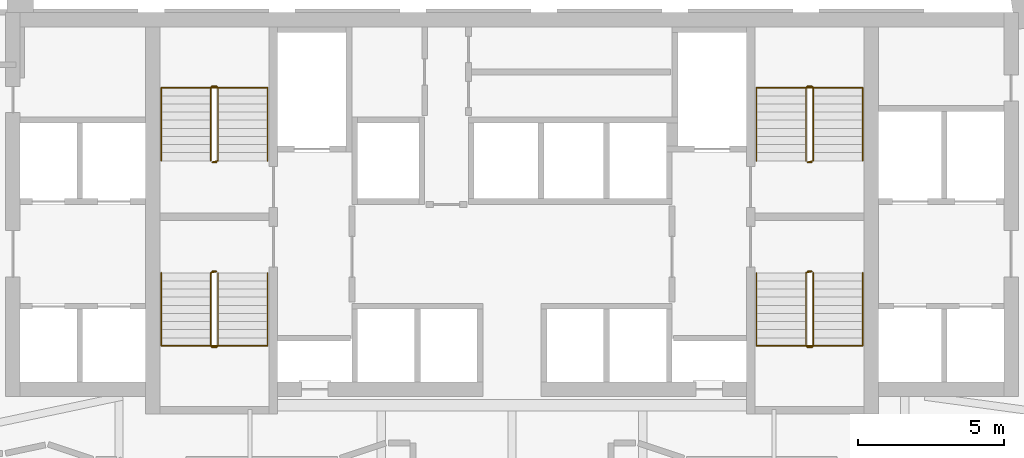
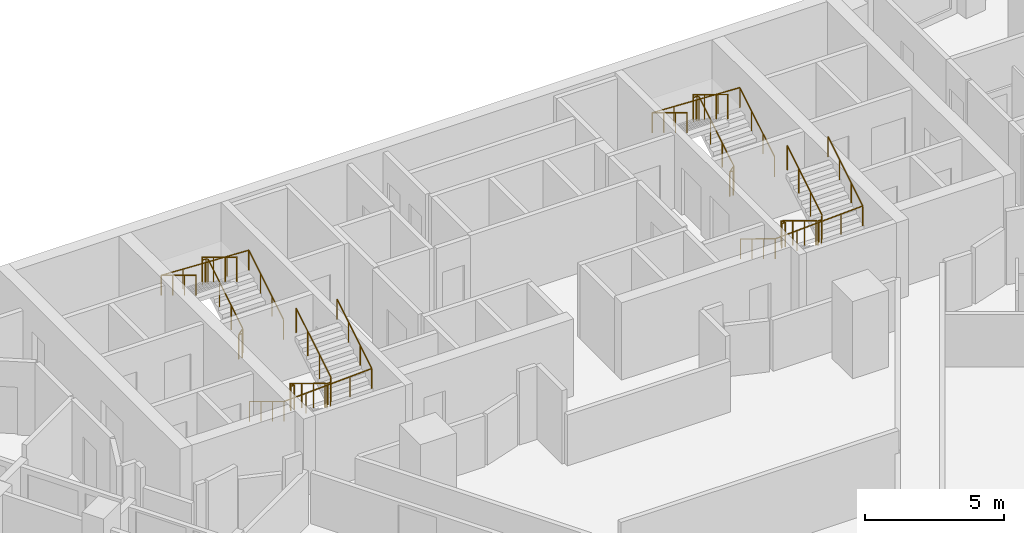
# One storey, part 11 of 11: 8 railings.
"""IFC4 building model written with IfcOpenShell, lengths in metres."""

import ifcopenshell
import ifcopenshell.guid

model = None  # the IFC model being written
_history = None  # IfcOwnerHistory: only IFC2X3 demands one
_inside = {}  # id of a spatial element -> (the spatial element, [elements in it])
_under = {}  # id of a project, library or spatial element -> (it, [spatial elements below it])
_declared = {}  # id of a project -> (the project, [libraries it declares])
_typed = {}  # id of a type object -> (the type object, [elements of that type])
_made_of = {}  # id of a material, layer set ... -> (it, [elements and type objects made of it])


def new_model(schema):
    """Start an empty IFC model of exactly this schema.

    Asked for "IFC4X3", IfcOpenShell would pick the latest addendum, in which some entities
    have other attributes; the version numbers below select the first issue.
    IFC2X3 requires an IfcOwnerHistory on every rooted entity: one is made here for all.
    """
    global model, _history
    if schema == "IFC4X3":
        model = ifcopenshell.file(schema_version=(4, 3, 0, 0))
    else:
        model = ifcopenshell.file(schema=schema)
    _inside.clear()
    _under.clear()
    _declared.clear()
    _typed.clear()
    _made_of.clear()
    _history = None
    if model.schema == "IFC2X3":
        org = make("IfcOrganization", Name="unknown")
        user = make(
            "IfcPersonAndOrganization",
            ThePerson=make("IfcPerson", FamilyName="unknown"),
            TheOrganization=org,
        )
        app = make(
            "IfcApplication",
            ApplicationDeveloper=org,
            Version="unknown",
            ApplicationFullName="unknown",
            ApplicationIdentifier="unknown",
        )
        _history = make(
            "IfcOwnerHistory",
            OwningUser=user,
            OwningApplication=app,
            ChangeAction="ADDED",
            CreationDate=0,
        )
    return model


def make(cls, **values):
    """One entity of the class cls with the attributes given. An attribute that is None is left unset."""
    return model.create_entity(
        cls, **{name: value for name, value in values.items() if value is not None}
    )


def rooted(cls, **values):
    """An entity with a GlobalId (a new one), such as an element, a storey or a relation."""
    return make(cls, GlobalId=ifcopenshell.guid.new(), OwnerHistory=_history, **values)


def si_unit(unit_type, name, prefix=None):
    """IfcSIUnit, for example si_unit("LENGTHUNIT", "METRE", prefix="MILLI")."""
    return make("IfcSIUnit", UnitType=unit_type, Prefix=prefix, Name=name)


def assignment(units):
    """IfcUnitAssignment: the units of a project."""
    return None if units is None else make("IfcUnitAssignment", Units=units)


def point(xyz):
    """IfcCartesianPoint."""
    return None if xyz is None else make("IfcCartesianPoint", Coordinates=xyz)


def direction(xyz):
    """IfcDirection."""
    return None if xyz is None else make("IfcDirection", DirectionRatios=xyz)


def frame(location, z_axis=None, x_axis=None):
    """IfcAxis2Placement3D, a coordinate frame: its origin and axes. An axis left out is left unset."""
    return make(
        "IfcAxis2Placement3D",
        Location=point(location),
        Axis=direction(z_axis),
        RefDirection=direction(x_axis),
    )


def frame_2d(location, x_axis=None):
    """IfcAxis2Placement2D, a coordinate frame in the plane: its origin and x axis."""
    return make(
        "IfcAxis2Placement2D", Location=point(location), RefDirection=direction(x_axis)
    )


def origin():
    """The frame at (0, 0, 0) with its axes left unset."""
    return frame((0.0, 0.0, 0.0))


def origin_2d():
    """The frame at (0, 0) in the plane with its x axis left unset."""
    return frame_2d((0.0, 0.0))


def place(relative_to, where):
    """IfcLocalPlacement: puts the frame where relative to a parent placement (None: the world)."""
    return make(
        "IfcLocalPlacement", PlacementRelTo=relative_to, RelativePlacement=where
    )


def context(
    kind, dimensions, precision=None, world=None, true_north=None, identifier=None
):
    """IfcGeometricRepresentationContext, for example the 3D "Model" context."""
    return make(
        "IfcGeometricRepresentationContext",
        ContextIdentifier=identifier,
        ContextType=kind,
        CoordinateSpaceDimension=dimensions,
        Precision=precision,
        WorldCoordinateSystem=world,
        TrueNorth=true_north,
    )


def subcontext(parent, identifier, kind, view, scale=None):
    """IfcGeometricRepresentationSubContext, for example "Body" below "Model"."""
    return make(
        "IfcGeometricRepresentationSubContext",
        ContextIdentifier=identifier,
        ContextType=kind,
        ParentContext=parent,
        TargetScale=scale,
        TargetView=view,
    )


def project(units=None, contexts=None):
    """IfcProject with its units and contexts."""
    return rooted(
        "IfcProject",
        Name="project",
        RepresentationContexts=contexts,
        UnitsInContext=assignment(units),
    )


def spatial(cls, under=None, at=None, **own):
    """A site, building, storey or space (cls), placed at a placement, below another one or the project."""
    s = rooted(cls, ObjectPlacement=at, **own)
    if under is not None:
        _under.setdefault(under.id(), (under, []))[1].append(s)
    return s


def profile(cls, at=None, kind="AREA", **sizes):
    """A parametric profile (cls). Its sizes go by their IFC names, for example OverallWidth=200.0."""
    return make(cls, ProfileType=kind, Position=at, **sizes)


def circle(**sizes):
    """IfcCircleProfileDef."""
    return profile("IfcCircleProfileDef", **sizes)


def extrude(swept, where, along, depth):
    """IfcExtrudedAreaSolid: the profile swept, set in the frame where, extruded along a direction by depth."""
    return make(
        "IfcExtrudedAreaSolid",
        SweptArea=swept,
        Position=where,
        ExtrudedDirection=direction(along),
        Depth=depth,
    )


def shape(context_of_items, identifier, shape_type, items):
    """IfcShapeRepresentation: the items that make up one representation, for example the "Body"."""
    return make(
        "IfcShapeRepresentation",
        ContextOfItems=context_of_items,
        RepresentationIdentifier=identifier,
        RepresentationType=shape_type,
        Items=items,
    )


def material(Name=None, Category=None):
    """IfcMaterial."""
    return make("IfcMaterial", Name=Name, Category=Category)


def made_of(thing, what):
    """Note that an element or type object is made of a material, layer set ...; save() writes the relation."""
    if what is not None:
        _made_of.setdefault(what.id(), (what, []))[1].append(thing)
    return thing


def type_object(cls, material=None, **own):
    """A type object (cls), such as IfcWallType, which elements share."""
    return made_of(rooted(cls, **own), material)


def element(
    cls,
    number,
    at=None,
    inside=None,
    cuts=None,
    type_object=None,
    material=None,
    context=None,
    identifier="Body",
    shape_type=None,
    held_by="IfcProductDefinitionShape",
    body=None,
    shapes=None,
    **own,
):
    """One element of the class cls, such as IfcWall. Its Tag is "e" and its number.

    at: its placement. inside: the storey or other place that contains it. cuts: it is an
    opening in that element (IfcRelVoidsElement). A single representation is given by context,
    identifier, shape_type and body (its items); several are given by shapes. held_by: the class
    of the entity that holds the representations. save() writes the other relations.
    """
    e = rooted(cls, Tag="e%d" % number, ObjectPlacement=at, **own)
    if body is not None:
        shapes = [shape(context, identifier, shape_type, body)]
    if shapes is not None:
        e.Representation = make(held_by, Representations=shapes)
    if inside is not None:
        _inside.setdefault(inside.id(), (inside, []))[1].append(e)
    if cuts is not None:
        rooted(
            "IfcRelVoidsElement", RelatingBuildingElement=cuts, RelatedOpeningElement=e
        )
    if type_object is not None:
        _typed.setdefault(type_object.id(), (type_object, []))[1].append(e)
    return made_of(e, material)


def aggregate(whole, parts):
    """IfcRelAggregates: a whole, such as a stair, and the parts it consists of."""
    return rooted("IfcRelAggregates", RelatingObject=whole, RelatedObjects=parts)


def save(model, path):
    """Write the relations noted so far, then the file.

    IfcRelAggregates (storeys below a building ...), IfcRelContainedInSpatialStructure (elements
    in a storey), IfcRelDefinesByType, IfcRelAssociatesMaterial and IfcRelDeclares: one each for
    every whole, place, type object, material and project.
    """
    for whole, parts in _under.values():
        aggregate(whole, parts)
    for where, things in _inside.values():
        rooted(
            "IfcRelContainedInSpatialStructure",
            RelatedElements=things,
            RelatingStructure=where,
        )
    for kind, things in _typed.values():
        rooted("IfcRelDefinesByType", RelatedObjects=things, RelatingType=kind)
    for what, things in _made_of.values():
        rooted("IfcRelAssociatesMaterial", RelatedObjects=things, RelatingMaterial=what)
    for by, libraries in _declared.values():
        rooted("IfcRelDeclares", RelatingContext=by, RelatedDefinitions=libraries)
    model.write(path)


model = new_model("IFC4")

# Units and contexts
model_context = context("Model", 3, precision=1e-05, world=origin(), true_north=direction((0.0, 1.0)))
body_context = subcontext(model_context, "Body", "Model", "MODEL_VIEW")
ifc_project = project(units=[si_unit("LENGTHUNIT", "METRE"), si_unit("AREAUNIT", "SQUARE_METRE"), si_unit("VOLUMEUNIT", "CUBIC_METRE"), si_unit("PLANEANGLEUNIT", "RADIAN"), si_unit("MASSUNIT", "GRAM", prefix="KILO")], contexts=[model_context])

# Site, building, storey
site_placement = place(None, origin())
site = spatial("IfcSite", under=ifc_project, at=site_placement, CompositionType="ELEMENT")
building_placement = place(site_placement, origin())
building = spatial("IfcBuilding", under=site, at=building_placement, Name="Calabash Gate Tower", CompositionType="ELEMENT")
storey_placement = place(building_placement, frame((0.0, 0.0, 125.800048828125)))
storey = spatial("IfcBuildingStorey", under=building, at=storey_placement, Name="L29", CompositionType="ELEMENT", Elevation=125.800048828125)

# Railings
ifc_material_1 = material(Name="Black powder-coated steel balusters", Category="steel")
railing_type_1 = type_object("IfcRailingType", Name="Stair guard RL1100", PredefinedType="GUARDRAIL", material=ifc_material_1)
railing_1_placement = place(storey_placement, frame((-10.14990234375, 13.902587890625, 0.0)))
element("IfcRailing", 1, at=railing_1_placement, inside=storey, type_object=railing_type_1, Name="L29 ST1 stair guard 1", PredefinedType="GUARDRAIL", context=body_context, shape_type="SweptSolid", body=[
    extrude(circle(Radius=0.02392578125, at=origin_2d()), frame((0.0, 0.0, 1.076171875), z_axis=(-1.0, 0.0, 0.0), x_axis=(0.0, -1.0, 0.0)), (0.0, 0.0, 1.0), 0.150146484375),
    extrude(circle(Radius=0.02392578125, at=origin_2d()), frame((-0.150146484375, 0.0, 1.076171875), z_axis=(0.748514443355, 0.187357095101, 0.636100186295), x_axis=(-0.242814311512, 0.970072785993, 0.0)), (0.0, 0.0, 1.0), 0.26708984375),
    extrude(circle(Radius=0.02392578125, at=origin_2d()), frame((0.0498046875, 0.050048828125, 1.24609375), z_axis=(0.0, 0.853956361026, 0.520344629514), x_axis=(-1.0, 0.0, 0.0)), (0.0, 0.0, 1.0), 2.9404296875),
    extrude(circle(Radius=0.02392578125, at=origin_2d()), frame((0.0498046875, 2.56103515625, 2.77587890625), z_axis=(-0.705375805398, 0.708833529934, 0.0), x_axis=(-0.708833529934, -0.705375805398, 0.0)), (0.0, 0.0, 1.0), 0.070556640625),
    extrude(circle(Radius=0.02392578125, at=origin_2d()), frame((0.0, 2.611083984375, 2.77587890625), z_axis=(-1.0, 0.0, 0.0), x_axis=(0.0, -1.0, 0.0)), (0.0, 0.0, 1.0), 0.150146484375),
    extrude(circle(Radius=0.02392578125, at=origin_2d()), frame((-0.150146484375, 2.611083984375, 2.77587890625), z_axis=(-0.271895245746, -0.271895245746, 0.923117517265), x_axis=(0.707106781187, -0.707106781187, 0.0)), (0.0, 0.0, 1.0), 0.18408203125),
    extrude(circle(Radius=0.02392578125, at=origin_2d()), frame((-0.2001953125, 2.56103515625, 2.94580078125), z_axis=(0.0, -0.853956361026, 0.520344629514), x_axis=(1.0, 0.0, 0.0)), (0.0, 0.0, 1.0), 2.9404296875),
    extrude(circle(Radius=0.02099609375, at=origin_2d()), origin(), (0.0, 0.0, 1.0), 1.052001953125),
    extrude(circle(Radius=0.02099609375, at=origin_2d()), frame((-0.150146484375, 0.0, 0.0)), (0.0, 0.0, 1.0), 1.052001953125),
    extrude(circle(Radius=0.02099609375, at=origin_2d()), frame((0.0498046875, 0.050048828125, 0.169921875)), (0.0, 0.0, 1.0), 1.052001953125),
    extrude(circle(Radius=0.02099609375, at=origin_2d()), frame((0.0498046875, 0.886962890625, 0.679931640625)), (0.0, 0.0, 1.0), 1.052001953125),
    extrude(circle(Radius=0.02099609375, at=origin_2d()), frame((0.0498046875, 1.72412109375, 1.18994140625)), (0.0, 0.0, 1.0), 1.052001953125),
    extrude(circle(Radius=0.02099609375, at=origin_2d()), frame((0.0498046875, 2.56103515625, 1.699951171875)), (0.0, 0.0, 1.0), 1.052001953125),
    extrude(circle(Radius=0.02099609375, at=origin_2d()), frame((0.0, 2.611083984375, 1.699951171875)), (0.0, 0.0, 1.0), 1.052001953125),
    extrude(circle(Radius=0.02099609375, at=origin_2d()), frame((-0.150146484375, 2.611083984375, 1.699951171875)), (0.0, 0.0, 1.0), 1.052001953125),
    extrude(circle(Radius=0.02099609375, at=origin_2d()), frame((-0.2001953125, 2.56103515625, 1.869873046875)), (0.0, 0.0, 1.0), 1.052001953125),
    extrude(circle(Radius=0.02099609375, at=origin_2d()), frame((-0.2001953125, 1.72412109375, 2.3798828125)), (0.0, 0.0, 1.0), 1.052001953125),
    extrude(circle(Radius=0.02099609375, at=origin_2d()), frame((-0.2001953125, 0.886962890625, 2.889892578125)), (0.0, 0.0, 1.0), 1.052001953125),
    extrude(circle(Radius=0.02099609375, at=origin_2d()), frame((-0.2001953125, 0.050048828125, 3.39990234375)), (0.0, 0.0, 1.0), 1.052001953125),
])
railing_2_placement = place(storey_placement, frame((-10.300048828125, 10.152587890625, 0.0)))
element("IfcRailing", 2, at=railing_2_placement, inside=storey, type_object=railing_type_1, Name="L29 ST2 stair guard 1", PredefinedType="GUARDRAIL", context=body_context, shape_type="SweptSolid", body=[
    extrude(circle(Radius=0.02392578125, at=origin_2d()), frame((0.0, 0.0, 1.076171875), z_axis=(1.0, 0.0, 0.0), x_axis=(0.0, 1.0, 0.0)), (0.0, 0.0, 1.0), 0.150146484375),
    extrude(circle(Radius=0.02392578125, at=origin_2d()), frame((0.150146484375, 0.0, 1.076171875), z_axis=(-0.748915913269, -0.187228978317, 0.635665214189), x_axis=(0.242535625036, -0.970142500145, 0.0)), (0.0, 0.0, 1.0), 0.267333984375),
    extrude(circle(Radius=0.02392578125, at=origin_2d()), frame((-0.050048828125, -0.050048828125, 1.24609375), z_axis=(0.0, -0.853956361026, 0.520344629514), x_axis=(1.0, 0.0, 0.0)), (0.0, 0.0, 1.0), 2.9404296875),
    extrude(circle(Radius=0.02392578125, at=origin_2d()), frame((-0.050048828125, -2.56103515625, 2.77587890625), z_axis=(0.707106781187, -0.707106781187, 0.0), x_axis=(0.707106781187, 0.707106781187, 0.0)), (0.0, 0.0, 1.0), 0.07080078125),
    extrude(circle(Radius=0.02392578125, at=origin_2d()), frame((0.0, -2.611083984375, 2.77587890625), z_axis=(1.0, 0.0, 0.0), x_axis=(0.0, 1.0, 0.0)), (0.0, 0.0, 1.0), 0.150146484375),
    extrude(circle(Radius=0.02392578125, at=origin_2d()), frame((0.150146484375, -2.611083984375, 2.77587890625), z_axis=(0.270666314514, 0.271993110173, 0.92344977893), x_axis=(-0.708833529934, 0.705375805398, 0.0)), (0.0, 0.0, 1.0), 0.18408203125),
    extrude(circle(Radius=0.02392578125, at=origin_2d()), frame((0.199951171875, -2.56103515625, 2.94580078125), z_axis=(0.0, 0.853956361026, 0.520344629514), x_axis=(-1.0, 0.0, 0.0)), (0.0, 0.0, 1.0), 2.9404296875),
    extrude(circle(Radius=0.02099609375, at=origin_2d()), origin(), (0.0, 0.0, 1.0), 1.052001953125),
    extrude(circle(Radius=0.02099609375, at=origin_2d()), frame((0.150146484375, 0.0, 0.0)), (0.0, 0.0, 1.0), 1.052001953125),
    extrude(circle(Radius=0.02099609375, at=origin_2d()), frame((-0.050048828125, -0.050048828125, 0.169921875)), (0.0, 0.0, 1.0), 1.052001953125),
    extrude(circle(Radius=0.02099609375, at=origin_2d()), frame((-0.050048828125, -0.886962890625, 0.679931640625)), (0.0, 0.0, 1.0), 1.052001953125),
    extrude(circle(Radius=0.02099609375, at=origin_2d()), frame((-0.050048828125, -1.72412109375, 1.18994140625)), (0.0, 0.0, 1.0), 1.052001953125),
    extrude(circle(Radius=0.02099609375, at=origin_2d()), frame((-0.050048828125, -2.56103515625, 1.699951171875)), (0.0, 0.0, 1.0), 1.052001953125),
    extrude(circle(Radius=0.02099609375, at=origin_2d()), frame((0.0, -2.611083984375, 1.699951171875)), (0.0, 0.0, 1.0), 1.052001953125),
    extrude(circle(Radius=0.02099609375, at=origin_2d()), frame((0.150146484375, -2.611083984375, 1.699951171875)), (0.0, 0.0, 1.0), 1.052001953125),
    extrude(circle(Radius=0.02099609375, at=origin_2d()), frame((0.199951171875, -2.56103515625, 1.869873046875)), (0.0, 0.0, 1.0), 1.052001953125),
    extrude(circle(Radius=0.02099609375, at=origin_2d()), frame((0.199951171875, -1.72412109375, 2.3798828125)), (0.0, 0.0, 1.0), 1.052001953125),
    extrude(circle(Radius=0.02099609375, at=origin_2d()), frame((0.199951171875, -0.886962890625, 2.889892578125)), (0.0, 0.0, 1.0), 1.052001953125),
    extrude(circle(Radius=0.02099609375, at=origin_2d()), frame((0.199951171875, -0.050048828125, 3.39990234375)), (0.0, 0.0, 1.0), 1.052001953125),
])
railing_3_placement = place(storey_placement, frame((10.300048828125, 13.902587890625, 0.0)))
element("IfcRailing", 3, at=railing_3_placement, inside=storey, type_object=railing_type_1, Name="L29 ST3 stair guard 1", PredefinedType="GUARDRAIL", context=body_context, shape_type="SweptSolid", body=[
    extrude(circle(Radius=0.02392578125, at=origin_2d()), frame((0.0, 0.0, 1.076171875), z_axis=(-1.0, 0.0, 0.0), x_axis=(0.0, -1.0, 0.0)), (0.0, 0.0, 1.0), 0.150146484375),
    extrude(circle(Radius=0.02392578125, at=origin_2d()), frame((-0.150146484375, 0.0, 1.076171875), z_axis=(0.748915913269, 0.187228978317, 0.635665214189), x_axis=(-0.242535625036, 0.970142500145, 0.0)), (0.0, 0.0, 1.0), 0.267333984375),
    extrude(circle(Radius=0.02392578125, at=origin_2d()), frame((0.050048828125, 0.050048828125, 1.24609375), z_axis=(0.0, 0.853956361026, 0.520344629514), x_axis=(-1.0, 0.0, 0.0)), (0.0, 0.0, 1.0), 2.9404296875),
    extrude(circle(Radius=0.02392578125, at=origin_2d()), frame((0.050048828125, 2.56103515625, 2.77587890625), z_axis=(-0.707106781187, 0.707106781187, 0.0), x_axis=(-0.707106781187, -0.707106781187, 0.0)), (0.0, 0.0, 1.0), 0.07080078125),
    extrude(circle(Radius=0.02392578125, at=origin_2d()), frame((0.0, 2.611083984375, 2.77587890625), z_axis=(-1.0, 0.0, 0.0), x_axis=(0.0, -1.0, 0.0)), (0.0, 0.0, 1.0), 0.150146484375),
    extrude(circle(Radius=0.02392578125, at=origin_2d()), frame((-0.150146484375, 2.611083984375, 2.77587890625), z_axis=(-0.270666314514, -0.271993110173, 0.92344977893), x_axis=(0.708833529934, -0.705375805398, 0.0)), (0.0, 0.0, 1.0), 0.18408203125),
    extrude(circle(Radius=0.02392578125, at=origin_2d()), frame((-0.199951171875, 2.56103515625, 2.94580078125), z_axis=(0.0, -0.853956361026, 0.520344629514), x_axis=(1.0, 0.0, 0.0)), (0.0, 0.0, 1.0), 2.9404296875),
    extrude(circle(Radius=0.02099609375, at=origin_2d()), origin(), (0.0, 0.0, 1.0), 1.052001953125),
    extrude(circle(Radius=0.02099609375, at=origin_2d()), frame((-0.150146484375, 0.0, 0.0)), (0.0, 0.0, 1.0), 1.052001953125),
    extrude(circle(Radius=0.02099609375, at=origin_2d()), frame((0.050048828125, 0.050048828125, 0.169921875)), (0.0, 0.0, 1.0), 1.052001953125),
    extrude(circle(Radius=0.02099609375, at=origin_2d()), frame((0.050048828125, 0.886962890625, 0.679931640625)), (0.0, 0.0, 1.0), 1.052001953125),
    extrude(circle(Radius=0.02099609375, at=origin_2d()), frame((0.050048828125, 1.72412109375, 1.18994140625)), (0.0, 0.0, 1.0), 1.052001953125),
    extrude(circle(Radius=0.02099609375, at=origin_2d()), frame((0.050048828125, 2.56103515625, 1.699951171875)), (0.0, 0.0, 1.0), 1.052001953125),
    extrude(circle(Radius=0.02099609375, at=origin_2d()), frame((0.0, 2.611083984375, 1.699951171875)), (0.0, 0.0, 1.0), 1.052001953125),
    extrude(circle(Radius=0.02099609375, at=origin_2d()), frame((-0.150146484375, 2.611083984375, 1.699951171875)), (0.0, 0.0, 1.0), 1.052001953125),
    extrude(circle(Radius=0.02099609375, at=origin_2d()), frame((-0.199951171875, 2.56103515625, 1.869873046875)), (0.0, 0.0, 1.0), 1.052001953125),
    extrude(circle(Radius=0.02099609375, at=origin_2d()), frame((-0.199951171875, 1.72412109375, 2.3798828125)), (0.0, 0.0, 1.0), 1.052001953125),
    extrude(circle(Radius=0.02099609375, at=origin_2d()), frame((-0.199951171875, 0.886962890625, 2.889892578125)), (0.0, 0.0, 1.0), 1.052001953125),
    extrude(circle(Radius=0.02099609375, at=origin_2d()), frame((-0.199951171875, 0.050048828125, 3.39990234375)), (0.0, 0.0, 1.0), 1.052001953125),
])
railing_4_placement = place(storey_placement, frame((10.14990234375, 10.152587890625, 0.0)))
element("IfcRailing", 4, at=railing_4_placement, inside=storey, type_object=railing_type_1, Name="L29 ST4 stair guard 1", PredefinedType="GUARDRAIL", context=body_context, shape_type="SweptSolid", body=[
    extrude(circle(Radius=0.02392578125, at=origin_2d()), frame((0.0, 0.0, 1.076171875), z_axis=(1.0, 0.0, 0.0), x_axis=(0.0, 1.0, 0.0)), (0.0, 0.0, 1.0), 0.150146484375),
    extrude(circle(Radius=0.02392578125, at=origin_2d()), frame((0.150146484375, 0.0, 1.076171875), z_axis=(-0.748514443355, -0.187357095101, 0.636100186295), x_axis=(0.242814311512, -0.970072785993, 0.0)), (0.0, 0.0, 1.0), 0.26708984375),
    extrude(circle(Radius=0.02392578125, at=origin_2d()), frame((-0.0498046875, -0.050048828125, 1.24609375), z_axis=(0.0, -0.853956361026, 0.520344629514), x_axis=(1.0, 0.0, 0.0)), (0.0, 0.0, 1.0), 2.9404296875),
    extrude(circle(Radius=0.02392578125, at=origin_2d()), frame((-0.0498046875, -2.56103515625, 2.77587890625), z_axis=(0.705375805398, -0.708833529934, 0.0), x_axis=(0.708833529934, 0.705375805398, 0.0)), (0.0, 0.0, 1.0), 0.070556640625),
    extrude(circle(Radius=0.02392578125, at=origin_2d()), frame((0.0, -2.611083984375, 2.77587890625), z_axis=(1.0, 0.0, 0.0), x_axis=(0.0, 1.0, 0.0)), (0.0, 0.0, 1.0), 0.150146484375),
    extrude(circle(Radius=0.02392578125, at=origin_2d()), frame((0.150146484375, -2.611083984375, 2.77587890625), z_axis=(0.271895245746, 0.271895245746, 0.923117517265), x_axis=(-0.707106781187, 0.707106781187, 0.0)), (0.0, 0.0, 1.0), 0.18408203125),
    extrude(circle(Radius=0.02392578125, at=origin_2d()), frame((0.2001953125, -2.56103515625, 2.94580078125), z_axis=(0.0, 0.853956361026, 0.520344629514), x_axis=(-1.0, 0.0, 0.0)), (0.0, 0.0, 1.0), 2.9404296875),
    extrude(circle(Radius=0.02099609375, at=origin_2d()), origin(), (0.0, 0.0, 1.0), 1.052001953125),
    extrude(circle(Radius=0.02099609375, at=origin_2d()), frame((0.150146484375, 0.0, 0.0)), (0.0, 0.0, 1.0), 1.052001953125),
    extrude(circle(Radius=0.02099609375, at=origin_2d()), frame((-0.0498046875, -0.050048828125, 0.169921875)), (0.0, 0.0, 1.0), 1.052001953125),
    extrude(circle(Radius=0.02099609375, at=origin_2d()), frame((-0.0498046875, -0.886962890625, 0.679931640625)), (0.0, 0.0, 1.0), 1.052001953125),
    extrude(circle(Radius=0.02099609375, at=origin_2d()), frame((-0.0498046875, -1.72412109375, 1.18994140625)), (0.0, 0.0, 1.0), 1.052001953125),
    extrude(circle(Radius=0.02099609375, at=origin_2d()), frame((-0.0498046875, -2.56103515625, 1.699951171875)), (0.0, 0.0, 1.0), 1.052001953125),
    extrude(circle(Radius=0.02099609375, at=origin_2d()), frame((0.0, -2.611083984375, 1.699951171875)), (0.0, 0.0, 1.0), 1.052001953125),
    extrude(circle(Radius=0.02099609375, at=origin_2d()), frame((0.150146484375, -2.611083984375, 1.699951171875)), (0.0, 0.0, 1.0), 1.052001953125),
    extrude(circle(Radius=0.02099609375, at=origin_2d()), frame((0.2001953125, -2.56103515625, 1.869873046875)), (0.0, 0.0, 1.0), 1.052001953125),
    extrude(circle(Radius=0.02099609375, at=origin_2d()), frame((0.2001953125, -1.72412109375, 2.3798828125)), (0.0, 0.0, 1.0), 1.052001953125),
    extrude(circle(Radius=0.02099609375, at=origin_2d()), frame((0.2001953125, -0.886962890625, 2.889892578125)), (0.0, 0.0, 1.0), 1.052001953125),
    extrude(circle(Radius=0.02099609375, at=origin_2d()), frame((0.2001953125, -0.050048828125, 3.39990234375)), (0.0, 0.0, 1.0), 1.052001953125),
])
ifc_material_2 = material(Name="Black powder-coated steel tube 48 mm", Category="steel")
railing_type_2 = type_object("IfcRailingType", Name="Stair handrail RL900", PredefinedType="HANDRAIL", material=ifc_material_2)
railing_5_placement = place(storey_placement, frame((-8.39990234375, 13.95263671875, 0.169921875)))
element("IfcRailing", 5, at=railing_5_placement, inside=storey, type_object=railing_type_2, Name="L29 ST1 stair handrail 1", PredefinedType="HANDRAIL", context=body_context, shape_type="SweptSolid", body=[
    extrude(circle(Radius=0.02392578125, at=origin_2d()), frame((0.0, 0.0, 0.8759765625), z_axis=(0.0, 0.853956361026, 0.520344629514), x_axis=(-1.0, 0.0, 0.0)), (0.0, 0.0, 1.0), 2.9404296875),
    extrude(circle(Radius=0.02392578125, at=origin_2d()), frame((0.0, 2.510986328125, 2.40576171875), z_axis=(-0.998918210324, 0.0, 0.046501710547), x_axis=(0.0, -1.0, 0.0)), (0.0, 0.0, 1.0), 3.654052734375),
    extrude(circle(Radius=0.02392578125, at=origin_2d()), frame((-3.650146484375, 2.510986328125, 2.57568359375), z_axis=(0.0, -0.853956361026, 0.520344629514), x_axis=(1.0, 0.0, 0.0)), (0.0, 0.0, 1.0), 2.9404296875),
    extrude(circle(Radius=0.02099609375, at=origin_2d()), origin(), (0.0, 0.0, 1.0), 0.851806640625),
    extrude(circle(Radius=0.02099609375, at=origin_2d()), frame((0.0, 0.8369140625, 0.510009765625)), (0.0, 0.0, 1.0), 0.851806640625),
    extrude(circle(Radius=0.02099609375, at=origin_2d()), frame((0.0, 1.674072265625, 1.02001953125)), (0.0, 0.0, 1.0), 0.851806640625),
    extrude(circle(Radius=0.02099609375, at=origin_2d()), frame((0.0, 2.510986328125, 1.530029296875)), (0.0, 0.0, 1.0), 0.851806640625),
    extrude(circle(Radius=0.02099609375, at=origin_2d()), frame((-0.91259765625, 2.510986328125, 1.572509765625)), (0.0, 0.0, 1.0), 0.851806640625),
    extrude(circle(Radius=0.02099609375, at=origin_2d()), frame((-1.8251953125, 2.510986328125, 1.614990234375)), (0.0, 0.0, 1.0), 0.851806640625),
    extrude(circle(Radius=0.02099609375, at=origin_2d()), frame((-2.737548828125, 2.510986328125, 1.657470703125)), (0.0, 0.0, 1.0), 0.851806640625),
    extrude(circle(Radius=0.02099609375, at=origin_2d()), frame((-3.650146484375, 2.510986328125, 1.699951171875)), (0.0, 0.0, 1.0), 0.851806640625),
    extrude(circle(Radius=0.02099609375, at=origin_2d()), frame((-3.650146484375, 1.674072265625, 2.2099609375)), (0.0, 0.0, 1.0), 0.851806640625),
    extrude(circle(Radius=0.02099609375, at=origin_2d()), frame((-3.650146484375, 0.8369140625, 2.719970703125)), (0.0, 0.0, 1.0), 0.851806640625),
    extrude(circle(Radius=0.02099609375, at=origin_2d()), frame((-3.650146484375, 0.0, 3.22998046875)), (0.0, 0.0, 1.0), 0.851806640625),
])
railing_6_placement = place(storey_placement, frame((-12.050048828125, 10.1025390625, 0.169921875)))
element("IfcRailing", 6, at=railing_6_placement, inside=storey, type_object=railing_type_2, Name="L29 ST2 stair handrail 1", PredefinedType="HANDRAIL", context=body_context, shape_type="SweptSolid", body=[
    extrude(circle(Radius=0.02392578125, at=origin_2d()), frame((0.0, 0.0, 0.8759765625), z_axis=(0.0, -0.853956361026, 0.520344629514), x_axis=(1.0, 0.0, 0.0)), (0.0, 0.0, 1.0), 2.9404296875),
    extrude(circle(Radius=0.02392578125, at=origin_2d()), frame((0.0, -2.510986328125, 2.40576171875), z_axis=(0.998918210324, 0.0, 0.046501710547), x_axis=(0.0, 1.0, 0.0)), (0.0, 0.0, 1.0), 3.654052734375),
    extrude(circle(Radius=0.02392578125, at=origin_2d()), frame((3.650146484375, -2.510986328125, 2.57568359375), z_axis=(0.0, 0.853956361026, 0.520344629514), x_axis=(-1.0, 0.0, 0.0)), (0.0, 0.0, 1.0), 2.9404296875),
    extrude(circle(Radius=0.02099609375, at=origin_2d()), origin(), (0.0, 0.0, 1.0), 0.851806640625),
    extrude(circle(Radius=0.02099609375, at=origin_2d()), frame((0.0, -0.8369140625, 0.510009765625)), (0.0, 0.0, 1.0), 0.851806640625),
    extrude(circle(Radius=0.02099609375, at=origin_2d()), frame((0.0, -1.674072265625, 1.02001953125)), (0.0, 0.0, 1.0), 0.851806640625),
    extrude(circle(Radius=0.02099609375, at=origin_2d()), frame((0.0, -2.510986328125, 1.530029296875)), (0.0, 0.0, 1.0), 0.851806640625),
    extrude(circle(Radius=0.02099609375, at=origin_2d()), frame((0.91259765625, -2.510986328125, 1.572509765625)), (0.0, 0.0, 1.0), 0.851806640625),
    extrude(circle(Radius=0.02099609375, at=origin_2d()), frame((1.8251953125, -2.510986328125, 1.614990234375)), (0.0, 0.0, 1.0), 0.851806640625),
    extrude(circle(Radius=0.02099609375, at=origin_2d()), frame((2.737548828125, -2.510986328125, 1.657470703125)), (0.0, 0.0, 1.0), 0.851806640625),
    extrude(circle(Radius=0.02099609375, at=origin_2d()), frame((3.650146484375, -2.510986328125, 1.699951171875)), (0.0, 0.0, 1.0), 0.851806640625),
    extrude(circle(Radius=0.02099609375, at=origin_2d()), frame((3.650146484375, -1.674072265625, 2.2099609375)), (0.0, 0.0, 1.0), 0.851806640625),
    extrude(circle(Radius=0.02099609375, at=origin_2d()), frame((3.650146484375, -0.8369140625, 2.719970703125)), (0.0, 0.0, 1.0), 0.851806640625),
    extrude(circle(Radius=0.02099609375, at=origin_2d()), frame((3.650146484375, 0.0, 3.22998046875)), (0.0, 0.0, 1.0), 0.851806640625),
])
railing_7_placement = place(storey_placement, frame((12.050048828125, 13.95263671875, 0.169921875)))
element("IfcRailing", 7, at=railing_7_placement, inside=storey, type_object=railing_type_2, Name="L29 ST3 stair handrail 1", PredefinedType="HANDRAIL", context=body_context, shape_type="SweptSolid", body=[
    extrude(circle(Radius=0.02392578125, at=origin_2d()), frame((0.0, 0.0, 0.8759765625), z_axis=(0.0, 0.853956361026, 0.520344629514), x_axis=(-1.0, 0.0, 0.0)), (0.0, 0.0, 1.0), 2.9404296875),
    extrude(circle(Radius=0.02392578125, at=origin_2d()), frame((0.0, 2.510986328125, 2.40576171875), z_axis=(-0.998918210324, 0.0, 0.046501710547), x_axis=(0.0, -1.0, 0.0)), (0.0, 0.0, 1.0), 3.654052734375),
    extrude(circle(Radius=0.02392578125, at=origin_2d()), frame((-3.650146484375, 2.510986328125, 2.57568359375), z_axis=(0.0, -0.853956361026, 0.520344629514), x_axis=(1.0, 0.0, 0.0)), (0.0, 0.0, 1.0), 2.9404296875),
    extrude(circle(Radius=0.02099609375, at=origin_2d()), origin(), (0.0, 0.0, 1.0), 0.851806640625),
    extrude(circle(Radius=0.02099609375, at=origin_2d()), frame((0.0, 0.8369140625, 0.510009765625)), (0.0, 0.0, 1.0), 0.851806640625),
    extrude(circle(Radius=0.02099609375, at=origin_2d()), frame((0.0, 1.674072265625, 1.02001953125)), (0.0, 0.0, 1.0), 0.851806640625),
    extrude(circle(Radius=0.02099609375, at=origin_2d()), frame((0.0, 2.510986328125, 1.530029296875)), (0.0, 0.0, 1.0), 0.851806640625),
    extrude(circle(Radius=0.02099609375, at=origin_2d()), frame((-0.91259765625, 2.510986328125, 1.572509765625)), (0.0, 0.0, 1.0), 0.851806640625),
    extrude(circle(Radius=0.02099609375, at=origin_2d()), frame((-1.8251953125, 2.510986328125, 1.614990234375)), (0.0, 0.0, 1.0), 0.851806640625),
    extrude(circle(Radius=0.02099609375, at=origin_2d()), frame((-2.737548828125, 2.510986328125, 1.657470703125)), (0.0, 0.0, 1.0), 0.851806640625),
    extrude(circle(Radius=0.02099609375, at=origin_2d()), frame((-3.650146484375, 2.510986328125, 1.699951171875)), (0.0, 0.0, 1.0), 0.851806640625),
    extrude(circle(Radius=0.02099609375, at=origin_2d()), frame((-3.650146484375, 1.674072265625, 2.2099609375)), (0.0, 0.0, 1.0), 0.851806640625),
    extrude(circle(Radius=0.02099609375, at=origin_2d()), frame((-3.650146484375, 0.8369140625, 2.719970703125)), (0.0, 0.0, 1.0), 0.851806640625),
    extrude(circle(Radius=0.02099609375, at=origin_2d()), frame((-3.650146484375, 0.0, 3.22998046875)), (0.0, 0.0, 1.0), 0.851806640625),
])
railing_8_placement = place(storey_placement, frame((8.39990234375, 10.1025390625, 0.169921875)))
element("IfcRailing", 8, at=railing_8_placement, inside=storey, type_object=railing_type_2, Name="L29 ST4 stair handrail 1", PredefinedType="HANDRAIL", context=body_context, shape_type="SweptSolid", body=[
    extrude(circle(Radius=0.02392578125, at=origin_2d()), frame((0.0, 0.0, 0.8759765625), z_axis=(0.0, -0.853956361026, 0.520344629514), x_axis=(1.0, 0.0, 0.0)), (0.0, 0.0, 1.0), 2.9404296875),
    extrude(circle(Radius=0.02392578125, at=origin_2d()), frame((0.0, -2.510986328125, 2.40576171875), z_axis=(0.998918210324, 0.0, 0.046501710547), x_axis=(0.0, 1.0, 0.0)), (0.0, 0.0, 1.0), 3.654052734375),
    extrude(circle(Radius=0.02392578125, at=origin_2d()), frame((3.650146484375, -2.510986328125, 2.57568359375), z_axis=(0.0, 0.853956361026, 0.520344629514), x_axis=(-1.0, 0.0, 0.0)), (0.0, 0.0, 1.0), 2.9404296875),
    extrude(circle(Radius=0.02099609375, at=origin_2d()), origin(), (0.0, 0.0, 1.0), 0.851806640625),
    extrude(circle(Radius=0.02099609375, at=origin_2d()), frame((0.0, -0.8369140625, 0.510009765625)), (0.0, 0.0, 1.0), 0.851806640625),
    extrude(circle(Radius=0.02099609375, at=origin_2d()), frame((0.0, -1.674072265625, 1.02001953125)), (0.0, 0.0, 1.0), 0.851806640625),
    extrude(circle(Radius=0.02099609375, at=origin_2d()), frame((0.0, -2.510986328125, 1.530029296875)), (0.0, 0.0, 1.0), 0.851806640625),
    extrude(circle(Radius=0.02099609375, at=origin_2d()), frame((0.91259765625, -2.510986328125, 1.572509765625)), (0.0, 0.0, 1.0), 0.851806640625),
    extrude(circle(Radius=0.02099609375, at=origin_2d()), frame((1.8251953125, -2.510986328125, 1.614990234375)), (0.0, 0.0, 1.0), 0.851806640625),
    extrude(circle(Radius=0.02099609375, at=origin_2d()), frame((2.737548828125, -2.510986328125, 1.657470703125)), (0.0, 0.0, 1.0), 0.851806640625),
    extrude(circle(Radius=0.02099609375, at=origin_2d()), frame((3.650146484375, -2.510986328125, 1.699951171875)), (0.0, 0.0, 1.0), 0.851806640625),
    extrude(circle(Radius=0.02099609375, at=origin_2d()), frame((3.650146484375, -1.674072265625, 2.2099609375)), (0.0, 0.0, 1.0), 0.851806640625),
    extrude(circle(Radius=0.02099609375, at=origin_2d()), frame((3.650146484375, -0.8369140625, 2.719970703125)), (0.0, 0.0, 1.0), 0.851806640625),
    extrude(circle(Radius=0.02099609375, at=origin_2d()), frame((3.650146484375, 0.0, 3.22998046875)), (0.0, 0.0, 1.0), 0.851806640625),
])

save(model, "model.ifc")
